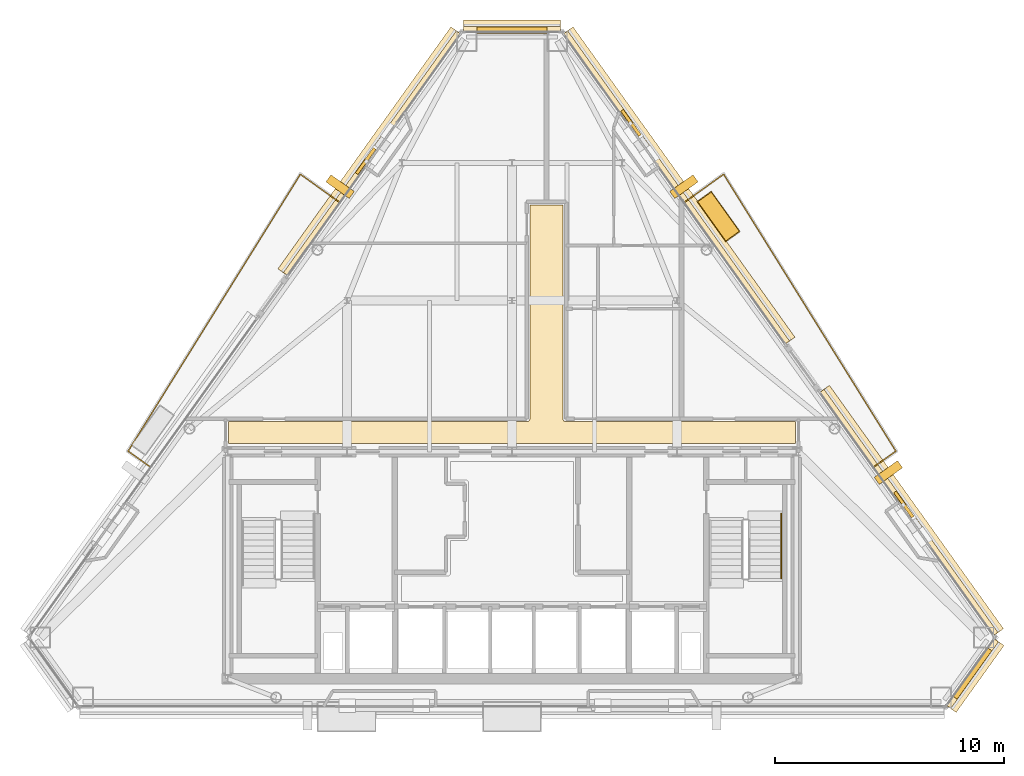
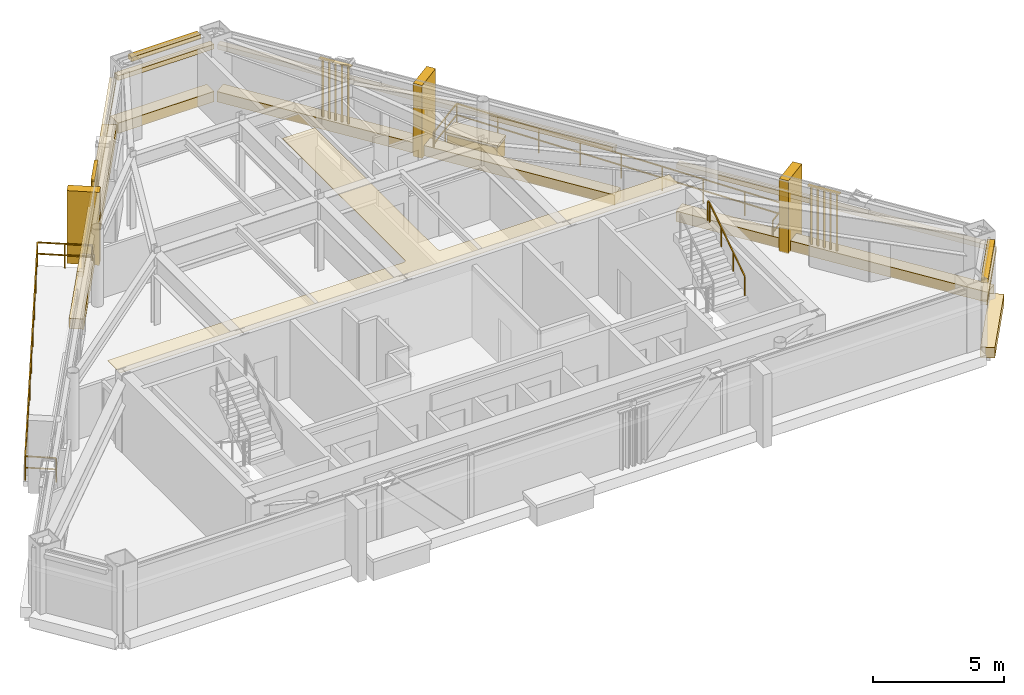
# One storey, part 12 of 12: 16 coverings, 5 shading devices, 3 railings.
"""IFC4 building model written with IfcOpenShell, lengths in metres."""

from ifc_helpers import new_model, si_unit, direction, frame, origin, origin_2d, place, context, subcontext, project, spatial, polyline, rectangle, outline, extrude, source, transform, mapped, material, layer, layer_set, type_object, type_shapes, element, save


model = new_model("IFC4")

# Units and contexts
model_context = context("Model", 3, precision=1e-05, world=origin(), true_north=direction((0.0, 1.0)))
body_context = subcontext(model_context, "Body", "Model", "MODEL_VIEW")
ifc_project = project(units=[si_unit("LENGTHUNIT", "METRE"), si_unit("AREAUNIT", "SQUARE_METRE"), si_unit("VOLUMEUNIT", "CUBIC_METRE"), si_unit("PLANEANGLEUNIT", "RADIAN"), si_unit("MASSUNIT", "GRAM", prefix="KILO")], contexts=[model_context])

# Site, building, storey
site_placement = place(None, origin())
site = spatial("IfcSite", under=ifc_project, at=site_placement, CompositionType="ELEMENT")
building_placement = place(site_placement, origin())
building = spatial("IfcBuilding", under=site, at=building_placement, Name="Talgorran Terracotta Tower", CompositionType="ELEMENT")
storey_placement = place(building_placement, frame((0.0, 0.0, 267.0)))
storey = spatial("IfcBuildingStorey", under=building, at=storey_placement, Name="L70", CompositionType="ELEMENT", Elevation=267.0)

# Coverings
ifc_material_1 = material(Name="Kiln-Fired Terracotta Ochre Ceramic", Category="masonry")
ifc_layer_1 = layer(ifc_material_1, 0.179931640625, Name="COV_BAGUETTE_TERRACOTTA_SCREEN")
ifc_layer_set_1 = layer_set([ifc_layer_1], Name="Kiln-Fired Terracotta Ochre Ceramic")
covering_type_1 = type_object("IfcCoveringType", Name="COV_BAGUETTE_TERRACOTTA_SCREEN", PredefinedType="CLADDING", material=ifc_layer_set_1)
covering_1_placement = place(storey_placement, frame((20.07958984375, -13.869384765625, 2.41015625), z_axis=(0.0, 0.0, 1.0), x_axis=(0.58173974083, 0.813374989743, 0.0)))
element("IfcCovering", 1, at=covering_1_placement, inside=storey, type_object=covering_type_1, Name="L70 Terracotta Baguette Solar Screen Assembly F2", PredefinedType="CLADDING", context=body_context, shape_type="SweptSolid", body=[
    extrude(rectangle(XDim=3.5673828125, YDim=0.260009765625, at=origin_2d()), origin(), (0.0, 0.0, 1.0), 0.219970703125),
])
covering_2_placement = place(storey_placement, frame((17.302490234375, -6.854736328125, 2.41015625), z_axis=(0.0, 0.0, 1.0), x_axis=(-0.58172554467, 0.813385142893, 0.0)))
element("IfcCovering", 2, at=covering_2_placement, inside=storey, type_object=covering_type_1, Name="L70 Terracotta Baguette Solar Screen Assembly F40", PredefinedType="CLADDING", context=body_context, shape_type="SweptSolid", body=[
    extrude(rectangle(XDim=13.034912109375, YDim=0.260009765625, at=origin_2d()), origin(), (0.0, 0.0, 1.0), 0.219970703125),
])
covering_3_placement = place(storey_placement, frame((7.16259765625, 7.323486328125, 2.41015625), z_axis=(0.0, 0.0, 1.0), x_axis=(-0.58173974083, 0.813374989743, 0.0)))
element("IfcCovering", 3, at=covering_3_placement, inside=storey, type_object=covering_type_1, Name="L70 Terracotta Baguette Solar Screen Assembly F41", PredefinedType="CLADDING", context=body_context, shape_type="SweptSolid", body=[
    extrude(rectangle(XDim=16.627197265625, YDim=0.260009765625, at=origin_2d()), origin(), (0.0, 0.0, 1.0), 0.219970703125),
])
covering_4_placement = place(storey_placement, frame((0.0, 14.216796875, 2.41015625), z_axis=(0.0, 0.0, 1.0), x_axis=(-1.0, 0.0, 0.0)))
element("IfcCovering", 4, at=covering_4_placement, inside=storey, type_object=covering_type_1, Name="L70 Terracotta Baguette Solar Screen Assembly F4", PredefinedType="CLADDING", context=body_context, shape_type="SweptSolid", body=[
    extrude(rectangle(XDim=4.2216796875, YDim=0.260009765625, at=origin_2d()), origin(), (0.0, 0.0, 1.0), 0.219970703125),
])
covering_5_placement = place(storey_placement, frame((-6.095947265625, 8.814697265625, 2.41015625), z_axis=(0.0, 0.0, 1.0), x_axis=(-0.58172554467, -0.813385142893, 0.0)))
element("IfcCovering", 5, at=covering_5_placement, inside=storey, type_object=covering_type_1, Name="L70 Terracotta Baguette Solar Screen Assembly F60", PredefinedType="CLADDING", context=body_context, shape_type="SweptSolid", body=[
    extrude(rectangle(XDim=12.96044921875, YDim=0.260009765625, at=origin_2d()), origin(), (0.0, 0.0, 1.0), 0.219970703125),
])
ifc_material_2 = material(Name="Mineral Fibre Acoustic Tile")
ifc_layer_2 = layer(ifc_material_2, 0.02490234375, Name="COV_CEIL_ACOUSTIC")
ifc_layer_set_2 = layer_set([ifc_layer_2], Name="Mineral Fibre Acoustic Tile")
covering_type_2 = type_object("IfcCoveringType", Name="COV_CEIL_ACOUSTIC", PredefinedType="CEILING", material=ifc_layer_set_2)
covering_6_placement = place(storey_placement, frame((0.0, 0.0, 3.2548828125)))
element("IfcCovering", 6, at=covering_6_placement, inside=storey, type_object=covering_type_2, Name="CEIL-L70-2", PredefinedType="CEILING", context=body_context, shape_type="SweptSolid", body=[
    extrude(outline(polyline([(-12.364990234375, -2.885009765625), (0.64990234375, -2.885009765625), (0.66162109375, -2.884521484375), (0.67333984375, -2.8828125), (0.6845703125, -2.8798828125), (0.69287109375, -2.87744140625), (0.7041015625, -2.87353515625), (0.714599609375, -2.868408203125), (0.724853515625, -2.8623046875), (0.734375, -2.85546875), (0.742919921875, -2.847412109375), (0.7509765625, -2.8388671875), (0.756591796875, -2.83203125), (0.763671875, -2.822509765625), (0.769775390625, -2.8125), (0.774658203125, -2.8017578125), (0.77880859375, -2.79052734375), (0.781494140625, -2.779296875), (0.783203125, -2.767578125), (0.783935546875, -2.755615234375), (0.784912109375, 6.56494140625), (2.215087890625, 6.56494140625), (2.215087890625, -2.75), (2.215576171875, -2.76171875), (2.21728515625, -2.773193359375), (2.22021484375, -2.78466796875), (2.22265625, -2.79296875), (2.2265625, -2.803955078125), (2.231689453125, -2.814697265625), (2.237548828125, -2.82470703125), (2.24462890625, -2.834228515625), (2.25244140625, -2.843017578125), (2.26123046875, -2.850830078125), (2.26806640625, -2.8564453125), (2.277587890625, -2.863525390625), (2.28759765625, -2.86962890625), (2.29833984375, -2.874755859375), (2.309326171875, -2.878662109375), (2.32080078125, -2.881591796875), (2.33251953125, -2.88330078125), (2.34423828125, -2.8837890625), (12.364990234375, -2.885009765625), (12.364990234375, -3.844970703125), (7.432861328125, -3.844970703125), (6.968017578125, -3.843017578125), (6.967529296875, -3.843017578125), (0.232666015625, -3.844970703125), (-0.23193359375, -3.843017578125), (-0.232421875, -3.843017578125), (-6.96728515625, -3.844970703125), (-7.431884765625, -3.843017578125), (-7.4326171875, -3.843017578125), (-12.364990234375, -3.844970703125), (-12.364990234375, -2.885009765625)])), origin(), (0.0, 0.0, 1.0), 0.02001953125),
])
ifc_material_3 = material(Name="Honed Limestone and Terracotta Planter", Category="masonry")
ifc_layer_3 = layer(ifc_material_3, 0.1201171875, Name="COV_PLANTER_BOX")
ifc_layer_set_3 = layer_set([ifc_layer_3], Name="Honed Limestone and Terracotta Planter")
covering_type_3 = type_object("IfcCoveringType", Name="COV_PLANTER_BOX", PredefinedType="CLADDING", material=ifc_layer_set_3)
covering_7_placement = place(storey_placement, frame((9.010986328125, 6.0625, -0.02001953125), z_axis=(0.0, 0.0, 1.0), x_axis=(-0.58172554467, 0.813385142893, 0.0)))
element("IfcCovering", 7, at=covering_7_placement, inside=storey, type_object=covering_type_3, Name="L70 Staggered Balcony Planter Box BAL-NE", PredefinedType="CLADDING", context=body_context, shape_type="SweptSolid", body=[
    extrude(rectangle(XDim=2.10009765625, YDim=0.719970703125, at=origin_2d()), origin(), (0.0, 0.0, 1.0), 0.860107421875),
])
ifc_material_4 = material(Name="Kiln-Fired Terracotta Planter Rim", Category="masonry")
ifc_layer_4 = layer(ifc_material_4, 0.10009765625, Name="COV_PLANTER_RIM")
ifc_layer_set_4 = layer_set([ifc_layer_4], Name="Kiln-Fired Terracotta Planter Rim")
covering_type_4 = type_object("IfcCoveringType", Name="COV_PLANTER_RIM", PredefinedType="CLADDING", material=ifc_layer_set_4)
covering_8_placement = place(storey_placement, frame((9.010986328125, 6.0625, 0.800048828125), z_axis=(0.0, 0.0, 1.0), x_axis=(-0.58172554467, 0.813385142893, 0.0)))
element("IfcCovering", 8, at=covering_8_placement, inside=storey, type_object=covering_type_4, Name="L70 Balcony Planter Terracotta Rim BAL-NE", PredefinedType="CLADDING", context=body_context, shape_type="SweptSolid", body=[
    extrude(rectangle(XDim=2.179931640625, YDim=0.780029296875, at=origin_2d()), origin(), (0.0, 0.0, 1.0), 0.1201171875),
])
ifc_material_5 = material(Name="Honed Limestone Cladding", Category="masonry")
ifc_layer_5 = layer(ifc_material_5, 0.094970703125, Name="COV_PORTAL_LIME")
ifc_layer_set_5 = layer_set([ifc_layer_5], Name="Honed Limestone Cladding")
covering_type_5 = type_object("IfcCoveringType", Name="COV_PORTAL_LIME", PredefinedType="CLADDING", material=ifc_layer_set_5)
covering_9_placement = place(storey_placement, frame((20.193603515625, -13.95068359375, -0.0400390625), z_axis=(0.0, 0.0, 1.0), x_axis=(0.58173974083, 0.813374989743, 0.0)))
element("IfcCovering", 9, at=covering_9_placement, inside=storey, type_object=covering_type_5, Name="L70 Striped Postmodern Portal Cladding Band F2", PredefinedType="CLADDING", context=body_context, shape_type="SweptSolid", body=[
    extrude(rectangle(XDim=3.58740234375, YDim=0.56005859375, at=origin_2d()), origin(), (0.0, 0.0, 1.0), 0.47998046875),
])
covering_10_placement = place(storey_placement, frame((17.41650390625, -6.773193359375, -0.0400390625), z_axis=(0.0, 0.0, 1.0), x_axis=(-0.58172554467, 0.813385142893, 0.0)))
element("IfcCovering", 10, at=covering_10_placement, inside=storey, type_object=covering_type_5, Name="L70 Striped Postmodern Portal Cladding Band F40", PredefinedType="CLADDING", context=body_context, shape_type="SweptSolid", body=[
    extrude(rectangle(XDim=13.054931640625, YDim=0.56005859375, at=origin_2d()), origin(), (0.0, 0.0, 1.0), 0.47998046875),
])
covering_11_placement = place(storey_placement, frame((7.2763671875, 7.40478515625, -0.0400390625), z_axis=(0.0, 0.0, 1.0), x_axis=(-0.58173974083, 0.813374989743, 0.0)))
element("IfcCovering", 11, at=covering_11_placement, inside=storey, type_object=covering_type_5, Name="L70 Striped Postmodern Portal Cladding Band F41", PredefinedType="CLADDING", context=body_context, shape_type="SweptSolid", body=[
    extrude(rectangle(XDim=16.647216796875, YDim=0.56005859375, at=origin_2d()), origin(), (0.0, 0.0, 1.0), 0.47998046875),
])
covering_12_placement = place(storey_placement, frame((0.0, 14.356689453125, -0.0400390625), z_axis=(0.0, 0.0, 1.0), x_axis=(-1.0, 0.0, 0.0)))
element("IfcCovering", 12, at=covering_12_placement, inside=storey, type_object=covering_type_5, Name="L70 Striped Postmodern Portal Cladding Band F4", PredefinedType="CLADDING", context=body_context, shape_type="SweptSolid", body=[
    extrude(rectangle(XDim=4.24169921875, YDim=0.56005859375, at=origin_2d()), origin(), (0.0, 0.0, 1.0), 0.47998046875),
])
covering_13_placement = place(storey_placement, frame((-6.209716796875, 8.89599609375, -0.0400390625), z_axis=(0.0, 0.0, 1.0), x_axis=(-0.58172554467, -0.813385142893, 0.0)))
element("IfcCovering", 13, at=covering_13_placement, inside=storey, type_object=covering_type_5, Name="L70 Striped Postmodern Portal Cladding Band F60", PredefinedType="CLADDING", context=body_context, shape_type="SweptSolid", body=[
    extrude(rectangle(XDim=12.98046875, YDim=0.56005859375, at=origin_2d()), origin(), (0.0, 0.0, 1.0), 0.47998046875),
])
covering_14_placement = place(storey_placement, frame((7.50048828125, 7.366455078125, -0.050048828125), z_axis=(0.0, 0.0, 1.0), x_axis=(-0.58172554467, 0.813385142893, 0.0)))
element("IfcCovering", 14, at=covering_14_placement, inside=storey, type_object=covering_type_5, Name="L70 White Striped Portal Fin F3-2", PredefinedType="CLADDING", context=body_context, shape_type="SweptSolid", body=[
    extrude(rectangle(XDim=0.3798828125, YDim=1.25, at=origin_2d()), origin(), (0.0, 0.0, 1.0), 3.39501953125),
])
ifc_material_6 = material(Name="Kiln-Fired Terracotta Cladding", Category="masonry")
ifc_layer_6 = layer(ifc_material_6, 0.090087890625, Name="COV_PORTAL_TERRA")
ifc_layer_set_6 = layer_set([ifc_layer_6], Name="Kiln-Fired Terracotta Cladding")
covering_type_6 = type_object("IfcCoveringType", Name="COV_PORTAL_TERRA", PredefinedType="CLADDING", material=ifc_layer_set_6)
for number, where, z_axis, x_axis, name in (
    (15, (16.421875, -5.107421875, -0.050048828125), (0.0, 0.0, 1.0), (-0.58172554467, 0.813385142893, 0.0), "L70 Terracotta Striped Portal Fin F3-1"),
    (16, (-7.50048828125, 7.366455078125, -0.050048828125), (0.0, 0.0, 1.0), (-0.58172554467, -0.813385142893, 0.0), "L70 Terracotta Striped Portal Fin F5-1"),
):
    element("IfcCovering", number, at=place(storey_placement, frame(where, z_axis=z_axis, x_axis=x_axis)), inside=storey, type_object=covering_type_6, Name=name, PredefinedType="CLADDING", context=body_context, shape_type="SweptSolid", body=[
        extrude(rectangle(XDim=0.3798828125, YDim=1.25, at=origin_2d()), origin(), (0.0, 0.0, 1.0), 3.39501953125),
    ])

# Railings
ifc_material_7 = material(Name="Laminated Glass and Stainless Steel 316", Category="steel")
railing_type_1 = type_object("IfcRailingType", Name="RL_BALCONY_1150", PredefinedType="BALUSTRADE", material=ifc_material_7)
railing_1_placement = place(storey_placement, frame((15.781494140625, -4.865234375, 0.0)))
element("IfcRailing", 17, at=railing_1_placement, inside=storey, type_object=railing_type_1, Name="RL-L70-BAL-BAL-NE", PredefinedType="BALUSTRADE", context=body_context, shape_type="SweptSolid", body=[
    extrude(rectangle(XDim=0.048095703125, YDim=0.048095703125, at=origin_2d()), frame((0.0, 0.0, 1.1259765625), z_axis=(0.813413811074, 0.581685457919, 0.0), x_axis=(-0.581685457919, 0.813413811074, 0.0)), (0.0, 0.0, 1.0), 1.187255859375),
    extrude(rectangle(XDim=0.048095703125, YDim=0.048095703125, at=origin_2d()), frame((0.0, 0.0, 0.597900390625), z_axis=(0.813413811074, 0.581685457919, 0.0), x_axis=(-0.581685457919, 0.813413811074, 0.0)), (0.0, 0.0, 1.0), 1.187255859375),
    extrude(rectangle(XDim=0.048095703125, YDim=0.048095703125, at=origin_2d()), frame((0.9658203125, 0.690673828125, 1.1259765625), z_axis=(-0.528196039688, 0.849122455043, 0.0), x_axis=(-0.849122455043, -0.528196039688, 0.0)), (0.0, 0.0, 1.0), 14.2265625),
    extrude(rectangle(XDim=0.048095703125, YDim=0.048095703125, at=origin_2d()), frame((0.9658203125, 0.690673828125, 0.597900390625), z_axis=(-0.528196039688, 0.849122455043, 0.0), x_axis=(-0.849122455043, -0.528196039688, 0.0)), (0.0, 0.0, 1.0), 14.2265625),
    extrude(rectangle(XDim=0.048095703125, YDim=0.048095703125, at=origin_2d()), frame((-6.548583984375, 12.770751953125, 1.1259765625), z_axis=(-0.813380271032, -0.581732356584, 0.0), x_axis=(0.581732356584, -0.813380271032, 0.0)), (0.0, 0.0, 1.0), 2.1025390625),
    extrude(rectangle(XDim=0.048095703125, YDim=0.048095703125, at=origin_2d()), frame((-6.548583984375, 12.770751953125, 0.597900390625), z_axis=(-0.813380271032, -0.581732356584, 0.0), x_axis=(0.581732356584, -0.813380271032, 0.0)), (0.0, 0.0, 1.0), 2.1025390625),
    extrude(rectangle(XDim=0.0419921875, YDim=0.0419921875, at=origin_2d()), origin(), (0.0, 0.0, 1.0), 1.101806640625),
    extrude(rectangle(XDim=0.0419921875, YDim=0.0419921875, at=origin_2d()), frame((0.9658203125, 0.690673828125, 0.0)), (0.0, 0.0, 1.0), 1.101806640625),
    extrude(rectangle(XDim=0.0419921875, YDim=0.0419921875, at=origin_2d()), frame((0.026611328125, 2.20068359375, 0.0)), (0.0, 0.0, 1.0), 1.101806640625),
    extrude(rectangle(XDim=0.0419921875, YDim=0.0419921875, at=origin_2d()), frame((-0.912841796875, 3.710693359375, 0.0)), (0.0, 0.0, 1.0), 1.101806640625),
    extrude(rectangle(XDim=0.0419921875, YDim=0.0419921875, at=origin_2d()), frame((-1.85205078125, 5.220703125, 0.0)), (0.0, 0.0, 1.0), 1.101806640625),
    extrude(rectangle(XDim=0.0419921875, YDim=0.0419921875, at=origin_2d()), frame((-2.79150390625, 6.730712890625, 0.0)), (0.0, 0.0, 1.0), 1.101806640625),
    extrude(rectangle(XDim=0.0419921875, YDim=0.0419921875, at=origin_2d()), frame((-3.730712890625, 8.24072265625, 0.0)), (0.0, 0.0, 1.0), 1.101806640625),
    extrude(rectangle(XDim=0.0419921875, YDim=0.0419921875, at=origin_2d()), frame((-4.669921875, 9.750732421875, 0.0)), (0.0, 0.0, 1.0), 1.101806640625),
    extrude(rectangle(XDim=0.0419921875, YDim=0.0419921875, at=origin_2d()), frame((-5.609375, 11.2607421875, 0.0)), (0.0, 0.0, 1.0), 1.101806640625),
    extrude(rectangle(XDim=0.0419921875, YDim=0.0419921875, at=origin_2d()), frame((-6.548583984375, 12.770751953125, 0.0)), (0.0, 0.0, 1.0), 1.101806640625),
    extrude(rectangle(XDim=0.0419921875, YDim=0.0419921875, at=origin_2d()), frame((-7.40380859375, 12.1591796875, 0.0)), (0.0, 0.0, 1.0), 1.101806640625),
    extrude(rectangle(XDim=0.0419921875, YDim=0.0419921875, at=origin_2d()), frame((-8.2587890625, 11.547607421875, 0.0)), (0.0, 0.0, 1.0), 1.101806640625),
])
railing_2_placement = place(storey_placement, frame((-7.522705078125, 6.682373046875, 0.0)))
element("IfcRailing", 18, at=railing_2_placement, inside=storey, type_object=railing_type_1, Name="RL-L70-BAL-BAL-NW", PredefinedType="BALUSTRADE", context=body_context, shape_type="SweptSolid", body=[
    extrude(rectangle(XDim=0.048095703125, YDim=0.048095703125, at=origin_2d()), frame((0.0, 0.0, 1.1259765625), z_axis=(-0.813380271032, 0.581732356584, 0.0), x_axis=(-0.581732356584, -0.813380271032, 0.0)), (0.0, 0.0, 1.0), 2.1025390625),
    extrude(rectangle(XDim=0.048095703125, YDim=0.048095703125, at=origin_2d()), frame((0.0, 0.0, 0.597900390625), z_axis=(-0.813380271032, 0.581732356584, 0.0), x_axis=(-0.581732356584, -0.813380271032, 0.0)), (0.0, 0.0, 1.0), 2.1025390625),
    extrude(rectangle(XDim=0.048095703125, YDim=0.048095703125, at=origin_2d()), frame((-1.710205078125, 1.22314453125, 1.1259765625), z_axis=(-0.528196039688, -0.849122455043, 0.0), x_axis=(0.849122455043, -0.528196039688, 0.0)), (0.0, 0.0, 1.0), 14.2265625),
    extrude(rectangle(XDim=0.048095703125, YDim=0.048095703125, at=origin_2d()), frame((-1.710205078125, 1.22314453125, 0.597900390625), z_axis=(-0.528196039688, -0.849122455043, 0.0), x_axis=(0.849122455043, -0.528196039688, 0.0)), (0.0, 0.0, 1.0), 14.2265625),
    extrude(rectangle(XDim=0.048095703125, YDim=0.048095703125, at=origin_2d()), frame((-9.224609375, -10.85693359375, 1.1259765625), z_axis=(0.813413811074, -0.581685457919, 0.0), x_axis=(0.581685457919, 0.813413811074, 0.0)), (0.0, 0.0, 1.0), 1.187255859375),
    extrude(rectangle(XDim=0.048095703125, YDim=0.048095703125, at=origin_2d()), frame((-9.224609375, -10.85693359375, 0.597900390625), z_axis=(0.813413811074, -0.581685457919, 0.0), x_axis=(0.581685457919, 0.813413811074, 0.0)), (0.0, 0.0, 1.0), 1.187255859375),
    extrude(rectangle(XDim=0.0419921875, YDim=0.0419921875, at=origin_2d()), origin(), (0.0, 0.0, 1.0), 1.101806640625),
    extrude(rectangle(XDim=0.0419921875, YDim=0.0419921875, at=origin_2d()), frame((-0.85498046875, 0.611572265625, 0.0)), (0.0, 0.0, 1.0), 1.101806640625),
    extrude(rectangle(XDim=0.0419921875, YDim=0.0419921875, at=origin_2d()), frame((-1.710205078125, 1.22314453125, 0.0)), (0.0, 0.0, 1.0), 1.101806640625),
    extrude(rectangle(XDim=0.0419921875, YDim=0.0419921875, at=origin_2d()), frame((-2.6494140625, -0.286865234375, 0.0)), (0.0, 0.0, 1.0), 1.101806640625),
    extrude(rectangle(XDim=0.0419921875, YDim=0.0419921875, at=origin_2d()), frame((-3.5888671875, -1.796875, 0.0)), (0.0, 0.0, 1.0), 1.101806640625),
    extrude(rectangle(XDim=0.0419921875, YDim=0.0419921875, at=origin_2d()), frame((-4.528076171875, -3.306884765625, 0.0)), (0.0, 0.0, 1.0), 1.101806640625),
    extrude(rectangle(XDim=0.0419921875, YDim=0.0419921875, at=origin_2d()), frame((-5.46728515625, -4.81689453125, 0.0)), (0.0, 0.0, 1.0), 1.101806640625),
    extrude(rectangle(XDim=0.0419921875, YDim=0.0419921875, at=origin_2d()), frame((-6.40673828125, -6.326904296875, 0.0)), (0.0, 0.0, 1.0), 1.101806640625),
    extrude(rectangle(XDim=0.0419921875, YDim=0.0419921875, at=origin_2d()), frame((-7.345947265625, -7.8369140625, 0.0)), (0.0, 0.0, 1.0), 1.101806640625),
    extrude(rectangle(XDim=0.0419921875, YDim=0.0419921875, at=origin_2d()), frame((-8.285400390625, -9.346923828125, 0.0)), (0.0, 0.0, 1.0), 1.101806640625),
    extrude(rectangle(XDim=0.0419921875, YDim=0.0419921875, at=origin_2d()), frame((-9.224609375, -10.85693359375, 0.0)), (0.0, 0.0, 1.0), 1.101806640625),
    extrude(rectangle(XDim=0.0419921875, YDim=0.0419921875, at=origin_2d()), frame((-8.2587890625, -11.547607421875, 0.0)), (0.0, 0.0, 1.0), 1.101806640625),
])
ifc_material_8 = material(Name="Steel S355 (300PLUS)", Category="steel")
railing_type_2 = type_object("IfcRailingType", Name="RL_HANDRAIL_920", PredefinedType="HANDRAIL", material=ifc_material_8)
railing_3_placement = place(storey_placement, frame((11.75, -9.719970703125, 1.97998046875)))
element("IfcRailing", 19, at=railing_3_placement, inside=storey, type_object=railing_type_2, Name="L70 ST-02 stair handrail 2", PredefinedType="HANDRAIL", context=body_context, shape_type="SweptSolid", body=[
    extrude(rectangle(XDim=0.048095703125, YDim=0.048095703125, at=origin_2d()), frame((0.0, 0.0, 0.89599609375), z_axis=(0.0, 0.832038719335, 0.554717558338), x_axis=(-1.0, 0.0, 0.0)), (0.0, 0.0, 1.0), 3.244873046875),
    extrude(rectangle(XDim=0.048095703125, YDim=0.048095703125, at=origin_2d()), frame((0.0, 2.699951171875, 2.69580078125), z_axis=(0.0, 1.0, 0.0), x_axis=(-1.0, 0.0, 0.0)), (0.0, 0.0, 1.0), 0.1201171875),
    extrude(rectangle(XDim=0.0419921875, YDim=0.0419921875, at=origin_2d()), origin(), (0.0, 0.0, 1.0), 0.871826171875),
    extrude(rectangle(XDim=0.0419921875, YDim=0.0419921875, at=origin_2d()), frame((0.0, 0.89990234375, 0.60009765625)), (0.0, 0.0, 1.0), 0.871826171875),
    extrude(rectangle(XDim=0.0419921875, YDim=0.0419921875, at=origin_2d()), frame((0.0, 1.800048828125, 1.199951171875)), (0.0, 0.0, 1.0), 0.871826171875),
    extrude(rectangle(XDim=0.0419921875, YDim=0.0419921875, at=origin_2d()), frame((0.0, 2.699951171875, 1.800048828125)), (0.0, 0.0, 1.0), 0.871826171875),
    extrude(rectangle(XDim=0.0419921875, YDim=0.0419921875, at=origin_2d()), frame((0.0, 2.820068359375, 1.800048828125)), (0.0, 0.0, 1.0), 0.871826171875),
])

# Shading devices
ifc_material_9 = material(Name="Kiln-Fired Terracotta", Category="masonry")
ifc_layer_7 = layer(ifc_material_9, 0.280029296875, Name="SHD_SUNSHADE_TERRA")
ifc_layer_set_7 = layer_set([ifc_layer_7], Name="Kiln-Fired Terracotta")
shading_device_type_1 = type_object("IfcShadingDeviceType", Name="SHD_SUNSHADE_TERRA", PredefinedType="AWNING", material=ifc_layer_set_7)
shared_shape_1 = source(origin(), body_context, "Body", "SweptSolid", [
    extrude(rectangle(XDim=2.59521484375, YDim=0.280029296875, at=origin_2d()), origin(), (0.0, 0.0, 1.0), 0.199951171875),
])
shading_device_1_placement = place(storey_placement, frame((20.0634765625, -13.857666015625, 3.10498046875), z_axis=(0.0, 0.0, 1.0), x_axis=(0.58173974083, 0.813374989743, 0.0)))
element("IfcShadingDevice", 20, at=shading_device_1_placement, inside=storey, type_object=shading_device_type_1, Name="SHD-BROW-L70-F2", PredefinedType="AWNING", context=body_context, shape_type="MappedRepresentation", body=[
    mapped(shared_shape_1, transform((0.0, 0.0, 0.0), scale=1.0)),
])
ifc_layer_8 = layer(ifc_material_9, 0.139892578125, Name="SHD_BAGUETTE_TERRA")
ifc_layer_set_8 = layer_set([ifc_layer_8], Name="Kiln-Fired Terracotta")
shading_device_type_2 = type_object("IfcShadingDeviceType", Name="SHD_BAGUETTE_TERRA", PredefinedType="JALOUSIE", material=ifc_layer_set_8)
shared_shape_2 = source(origin(), body_context, "Body", "SweptSolid", [
    extrude(rectangle(XDim=1.35009765625, YDim=0.139892578125, at=origin_2d()), origin(), (0.0, 0.0, 1.0), 0.054931640625),
    extrude(rectangle(XDim=1.35009765625, YDim=0.139892578125, at=origin_2d()), frame((0.0, 0.0, 2.739990234375)), (0.0, 0.0, 1.0), 0.054931640625),
    extrude(rectangle(XDim=0.074951171875, YDim=0.139892578125, at=origin_2d()), frame((-0.53515625, 0.0, 0.054931640625), z_axis=(0.0, 0.0, 1.0), x_axis=(0.866025403784, 0.5, 0.0)), (0.0, 0.0, 1.0), 2.68505859375),
    extrude(rectangle(XDim=0.074951171875, YDim=0.139892578125, at=origin_2d()), frame((-0.267578125, 0.0, 0.054931640625), z_axis=(0.0, 0.0, 1.0), x_axis=(0.866025403784, 0.5, 0.0)), (0.0, 0.0, 1.0), 2.68505859375),
    extrude(rectangle(XDim=0.074951171875, YDim=0.139892578125, at=origin_2d()), frame((0.0, 0.0, 0.054931640625), z_axis=(0.0, 0.0, 1.0), x_axis=(0.866025403784, 0.5, 0.0)), (0.0, 0.0, 1.0), 2.68505859375),
    extrude(rectangle(XDim=0.074951171875, YDim=0.139892578125, at=origin_2d()), frame((0.267578125, 0.0, 0.054931640625), z_axis=(0.0, 0.0, 1.0), x_axis=(0.866025403784, 0.5, 0.0)), (0.0, 0.0, 1.0), 2.68505859375),
    extrude(rectangle(XDim=0.074951171875, YDim=0.139892578125, at=origin_2d()), frame((0.53515625, 0.0, 0.054931640625), z_axis=(0.0, 0.0, 1.0), x_axis=(0.866025403784, 0.5, 0.0)), (0.0, 0.0, 1.0), 2.68505859375),
])
type_shapes(shading_device_type_2, [shared_shape_2])
for number, where, z_axis, x_axis, name in (
    (21, (17.098876953125, -6.501220703125, 0.35009765625), (0.0, 0.0, 1.0), (-0.58172554467, 0.813385142893, 0.0), "BAG-L70-F40"),
    (22, (5.193603515625, 10.14501953125, 0.35009765625), (0.0, 0.0, 1.0), (-0.58173974083, 0.813374989743, 0.0), "BAG-L70-F41"),
    (23, (-6.381591796875, 8.48388671875, 0.35009765625), (0.0, 0.0, 1.0), (-0.58172554467, -0.813385142893, 0.0), "BAG-L70-F60"),
):
    element("IfcShadingDevice", number, at=place(storey_placement, frame(where, z_axis=z_axis, x_axis=x_axis)), inside=storey, type_object=shading_device_type_2, Name=name, PredefinedType="JALOUSIE", context=body_context, shape_type="MappedRepresentation", body=[
        mapped(shared_shape_2, transform((0.0, 0.0, 0.0), scale=1.0)),
    ])
shared_shape_3 = source(origin(), body_context, "Body", "SweptSolid", [
    extrude(rectangle(XDim=3.052978515625, YDim=0.280029296875, at=origin_2d()), origin(), (0.0, 0.0, 1.0), 0.199951171875),
])
type_shapes(shading_device_type_1, [shared_shape_1, shared_shape_3])
shading_device_2_placement = place(storey_placement, frame((0.0, 14.19677734375, 3.10498046875), z_axis=(0.0, 0.0, 1.0), x_axis=(-1.0, 0.0, 0.0)))
element("IfcShadingDevice", 24, at=shading_device_2_placement, inside=storey, type_object=shading_device_type_1, Name="SHD-BROW-L70-F4", PredefinedType="AWNING", context=body_context, shape_type="MappedRepresentation", body=[
    mapped(shared_shape_3, transform((0.0, 0.0, 0.0), scale=1.0)),
])

save(model, "model.ifc")
